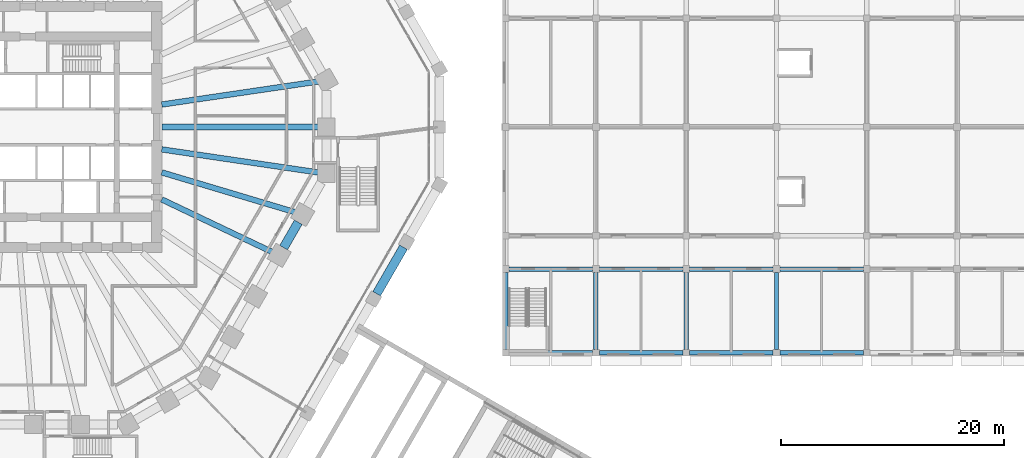
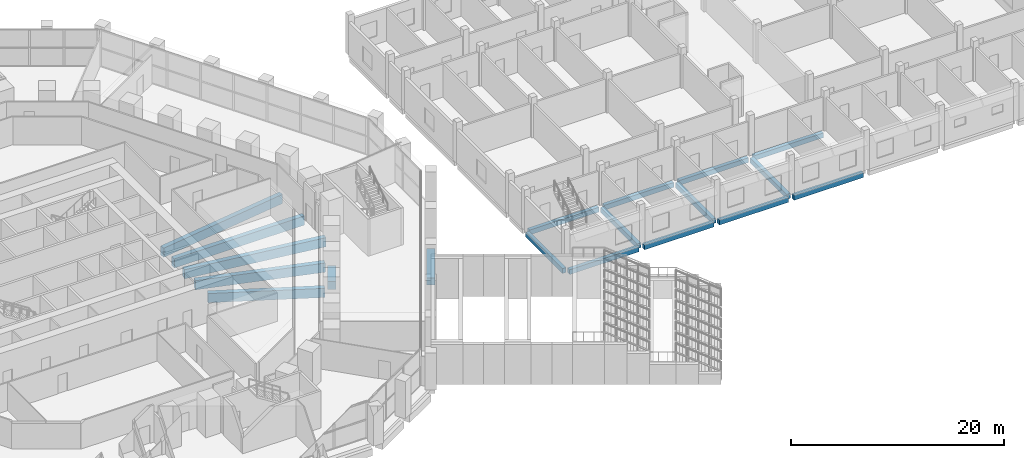
# One storey, part 8 of 38: 19 beams.
"""IFC4 building model written with IfcOpenShell, lengths in metres."""

from ifc_helpers import new_model, si_unit, direction, frame, origin, origin_2d, place, context, subcontext, project, spatial, rectangle, extrude, material, material_profile, profile_set, type_object, element, save


model = new_model("IFC4")

# Units and contexts
model_context = context("Model", 3, precision=1e-05, world=origin(), true_north=direction((0.0, 1.0)))
body_context = subcontext(model_context, "Body", "Model", "MODEL_VIEW")
ifc_project = project(units=[si_unit("LENGTHUNIT", "METRE"), si_unit("AREAUNIT", "SQUARE_METRE"), si_unit("VOLUMEUNIT", "CUBIC_METRE"), si_unit("PLANEANGLEUNIT", "RADIAN"), si_unit("MASSUNIT", "GRAM", prefix="KILO")], contexts=[model_context])

# Site, building, storey
site_placement = place(None, origin())
site = spatial("IfcSite", under=ifc_project, at=site_placement, CompositionType="ELEMENT")
building_placement = place(site_placement, origin())
building = spatial("IfcBuilding", under=site, at=building_placement, Name="Frailejon Research Tower", CompositionType="ELEMENT")
storey_placement = place(building_placement, frame((0.0, 0.0, 5.60009765625)))
storey = spatial("IfcBuildingStorey", under=building, at=storey_placement, Name="L01", CompositionType="ELEMENT", Elevation=5.60009765625)

# Beams
ifc_material_1 = material(Name="Concrete C60/75", Category="concrete")
ifc_material_profile_1 = material_profile(ifc_material_1, rectangle(XDim=0.800048828125, YDim=0.800048828125, at=origin_2d()), Name="Base ring beam")
ifc_profile_set_1 = profile_set([ifc_material_profile_1], Name="Concrete C60/75")
beam_type_1 = type_object("IfcBeamType", Name="Base ring beam", PredefinedType="BEAM", material=ifc_profile_set_1)
beam_1_placement = place(storey_placement, frame((32.930419921875, -14.962890625, -0.75), z_axis=(0.50000634465, 0.866021740668, 0.0), x_axis=(-0.866021740668, 0.50000634465, 0.0)))
element("IfcBeam", 1, at=beam_1_placement, inside=storey, type_object=beam_type_1, Name="Base ring beam", PredefinedType="BEAM", context=body_context, shape_type="SweptSolid", body=[
    extrude(rectangle(XDim=0.800048828125, YDim=0.800048828125, at=origin_2d()), origin(), (0.0, 0.0, 1.0), 4.81396484375),
])
ifc_material_2 = material(Name="Concrete C60/75", Category="concrete")
ifc_material_profile_2 = material_profile(ifc_material_2, rectangle(XDim=0.5, YDim=1.050048828125, at=origin_2d()), Name="Girder 500x1050")
ifc_profile_set_2 = profile_set([ifc_material_profile_2], Name="Concrete C60/75")
beam_type_2 = type_object("IfcBeamType", Name="Girder 500x1050", PredefinedType="BEAM", material=ifc_profile_set_2)
beam_2_placement = place(storey_placement, frame((27.76123046875, -4.091552734375, -0.875), z_axis=(-0.989312272049, 0.145812305287, 0.0), x_axis=(-0.145812305287, -0.989312272049, 0.0)))
element("IfcBeam", 2, at=beam_2_placement, inside=storey, type_object=beam_type_2, Name="Girder 500x1050", PredefinedType="BEAM", context=body_context, shape_type="SweptSolid", body=[
    extrude(rectangle(XDim=0.5, YDim=1.050048828125, at=origin_2d()), origin(), (0.0, 0.0, 1.0), 14.263671875),
])
beam_3_placement = place(storey_placement, frame((27.7626953125, 0.0, -0.875), z_axis=(-1.0, 0.0, 0.0), x_axis=(0.0, -1.0, 0.0)))
element("IfcBeam", 3, at=beam_3_placement, inside=storey, type_object=beam_type_2, Name="Girder 500x1050", PredefinedType="BEAM", context=body_context, shape_type="SweptSolid", body=[
    extrude(rectangle(XDim=0.5, YDim=1.050048828125, at=origin_2d()), origin(), (0.0, 0.0, 1.0), 14.11279296875),
])
beam_4_placement = place(storey_placement, frame((27.7099609375, 4.083984375, -0.875), z_axis=(-0.989312392522, -0.145811487893, 0.0), x_axis=(0.145811487893, -0.989312392522, 0.0)))
element("IfcBeam", 4, at=beam_4_placement, inside=storey, type_object=beam_type_2, Name="Girder 500x1050", PredefinedType="BEAM", context=body_context, shape_type="SweptSolid", body=[
    extrude(rectangle(XDim=0.5, YDim=1.050048828125, at=origin_2d()), origin(), (0.0, 0.0, 1.0), 14.2119140625),
])
beam_5_placement = place(storey_placement, frame((23.591796875, -11.23681640625, -0.875), z_axis=(-0.902829780982, 0.429998123917, 0.0), x_axis=(-0.429998123917, -0.902829780982, 0.0)))
element("IfcBeam", 5, at=beam_5_placement, inside=storey, type_object=beam_type_2, Name="Girder 500x1050", PredefinedType="BEAM", context=body_context, shape_type="SweptSolid", body=[
    extrude(rectangle(XDim=0.5, YDim=1.050048828125, at=origin_2d()), origin(), (0.0, 0.0, 1.0), 11.011962890625),
])
beam_6_placement = place(storey_placement, frame((25.652587890625, -7.66015625, -0.875), z_axis=(-0.958189747387, 0.286133549242, 0.0), x_axis=(-0.286133549242, -0.958189747387, 0.0)))
element("IfcBeam", 6, at=beam_6_placement, inside=storey, type_object=beam_type_2, Name="Girder 500x1050", PredefinedType="BEAM", context=body_context, shape_type="SweptSolid", body=[
    extrude(rectangle(XDim=0.5, YDim=1.050048828125, at=origin_2d()), origin(), (0.0, 0.0, 1.0), 12.5263671875),
])
ifc_material_3 = material(Name="Concrete C35/45", Category="concrete")
ifc_material_profile_3 = material_profile(ifc_material_3, rectangle(XDim=0.39990234375, YDim=0.550048828125, at=origin_2d()), Name="HC floor beam 400x550")
ifc_profile_set_3 = profile_set([ifc_material_profile_3], Name="Concrete C35/45")
beam_type_3 = type_object("IfcBeamType", Name="HC floor beam 400x550", PredefinedType="BEAM", material=ifc_profile_set_3)
for number, where, z_axis, x_axis, name in (
    (7, (44.800048828125, -20.25, -0.525146484375), (1.0, 0.0, 0.0), (0.0, 1.0, 0.0), "HC floor beam"),
    (8, (52.89990234375, -20.25, -0.525146484375), (1.0, 0.0, 0.0), (0.0, 1.0, 0.0), "HC floor beam"),
    (9, (61.0, -20.25, -0.525146484375), (1.0, 0.0, 0.0), (0.0, 1.0, 0.0), "HC floor beam"),
    (10, (69.10009765625, -20.25, -0.525146484375), (1.0, 0.0, 0.0), (0.0, 1.0, 0.0), "HC floor beam"),
    (11, (44.800048828125, -12.75, -0.525146484375), (1.0, 0.0, 0.0), (0.0, 1.0, 0.0), "HC floor beam"),
    (12, (52.89990234375, -12.75, -0.525146484375), (1.0, 0.0, 0.0), (0.0, 1.0, 0.0), "HC floor beam"),
    (13, (61.0, -12.75, -0.525146484375), (1.0, 0.0, 0.0), (0.0, 1.0, 0.0), "HC floor beam"),
    (14, (69.10009765625, -12.75, -0.525146484375), (1.0, 0.0, 0.0), (0.0, 1.0, 0.0), "HC floor beam"),
):
    element("IfcBeam", number, at=place(storey_placement, frame(where, z_axis=z_axis, x_axis=x_axis)), inside=storey, type_object=beam_type_3, Name=name, PredefinedType="BEAM", context=body_context, shape_type="SweptSolid", body=[
        extrude(rectangle(XDim=0.39990234375, YDim=0.550048828125, at=origin_2d()), origin(), (0.0, 0.0, 1.0), 7.5),
    ])
for number, where, z_axis, x_axis, name in (
    (15, (44.5, -19.949951171875, -0.525146484375), (0.0, 1.0, 0.0), (-1.0, 0.0, 0.0), "HC floor beam"),
    (16, (52.60009765625, -19.949951171875, -0.525146484375), (0.0, 1.0, 0.0), (-1.0, 0.0, 0.0), "HC floor beam"),
    (17, (60.699951171875, -19.949951171875, -0.525146484375), (0.0, 1.0, 0.0), (-1.0, 0.0, 0.0), "HC floor beam"),
    (18, (68.800048828125, -19.949951171875, -0.525146484375), (0.0, 1.0, 0.0), (-1.0, 0.0, 0.0), "HC floor beam"),
):
    element("IfcBeam", number, at=place(storey_placement, frame(where, z_axis=z_axis, x_axis=x_axis)), inside=storey, type_object=beam_type_3, Name=name, PredefinedType="BEAM", context=body_context, shape_type="SweptSolid", body=[
        extrude(rectangle(XDim=0.39990234375, YDim=0.550048828125, at=origin_2d()), origin(), (0.0, 0.0, 1.0), 6.89990234375),
    ])
ifc_material_4 = material(Name="Concrete C60/75", Category="concrete")
ifc_material_profile_4 = material_profile(ifc_material_4, rectangle(XDim=0.800048828125, YDim=0.89990234375, at=origin_2d()), Name="Podium ring beam")
ifc_profile_set_4 = profile_set([ifc_material_profile_4], Name="Concrete C60/75")
beam_type_4 = type_object("IfcBeamType", Name="Podium ring beam", PredefinedType="BEAM", material=ifc_profile_set_4)
beam_7_placement = place(storey_placement, frame((24.580810546875, -10.82470703125, -0.800048828125), z_axis=(0.499990112884, 0.866031112038, 0.0), x_axis=(-0.866031112038, 0.499990112884, 0.0)))
element("IfcBeam", 19, at=beam_7_placement, inside=storey, type_object=beam_type_4, Name="Podium ring beam", PredefinedType="BEAM", context=body_context, shape_type="SweptSolid", body=[
    extrude(rectangle(XDim=0.800048828125, YDim=0.89990234375, at=origin_2d()), origin(), (0.0, 0.0, 1.0), 2.6318359375),
])

save(model, "model.ifc")
